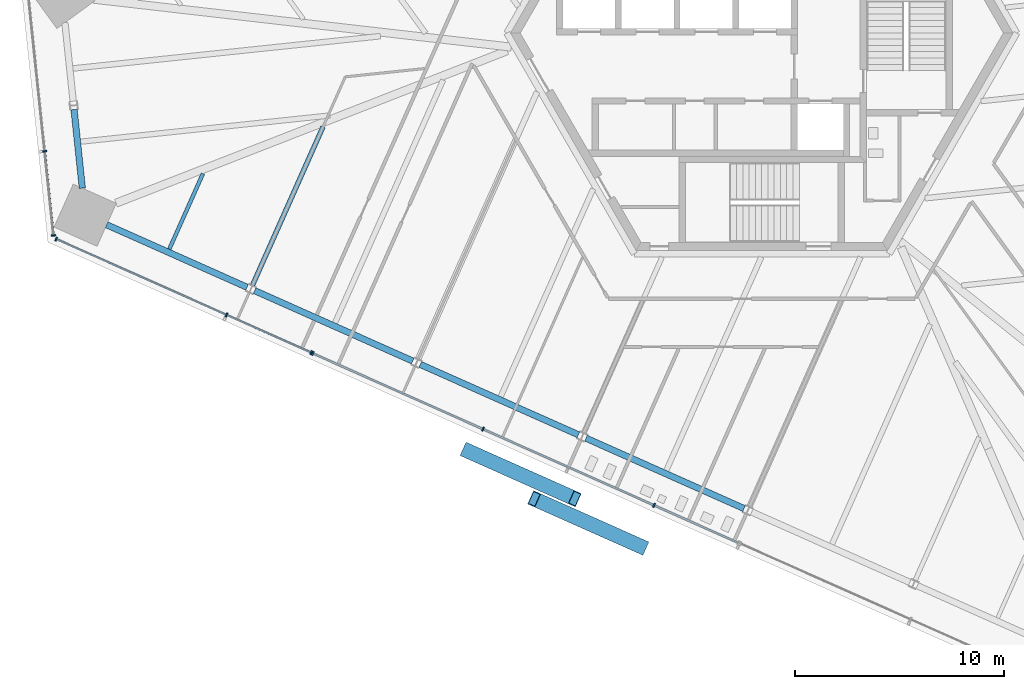
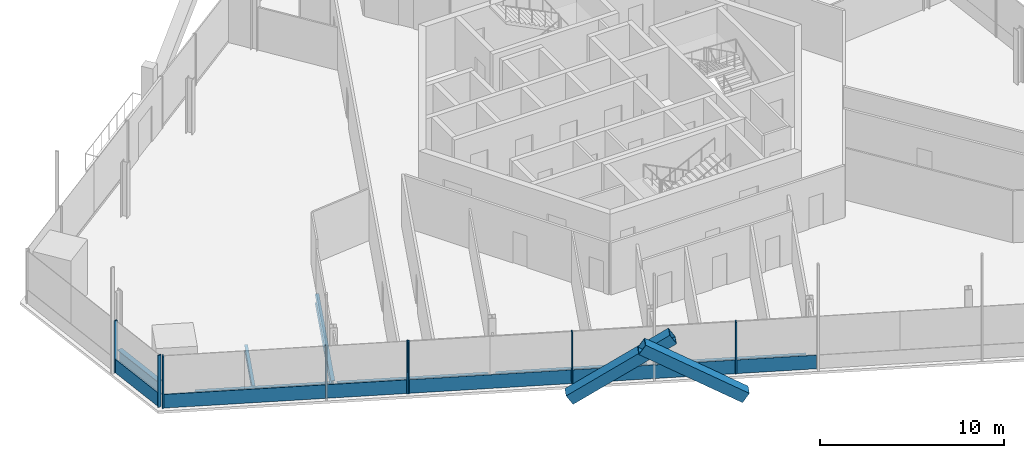
# One storey, part 3 of 21: 16 members, 7 beams, 3 elements without a shape of their own.
"""IFC4 building model written with IfcOpenShell, lengths in metres."""

import ifcopenshell
import ifcopenshell.guid

model = None  # the IFC model being written
_history = None  # IfcOwnerHistory: only IFC2X3 demands one
_inside = {}  # id of a spatial element -> (the spatial element, [elements in it])
_under = {}  # id of a project, library or spatial element -> (it, [spatial elements below it])
_declared = {}  # id of a project -> (the project, [libraries it declares])
_typed = {}  # id of a type object -> (the type object, [elements of that type])
_made_of = {}  # id of a material, layer set ... -> (it, [elements and type objects made of it])


def new_model(schema):
    """Start an empty IFC model of exactly this schema.

    Asked for "IFC4X3", IfcOpenShell would pick the latest addendum, in which some entities
    have other attributes; the version numbers below select the first issue.
    IFC2X3 requires an IfcOwnerHistory on every rooted entity: one is made here for all.
    """
    global model, _history
    if schema == "IFC4X3":
        model = ifcopenshell.file(schema_version=(4, 3, 0, 0))
    else:
        model = ifcopenshell.file(schema=schema)
    _inside.clear()
    _under.clear()
    _declared.clear()
    _typed.clear()
    _made_of.clear()
    _history = None
    if model.schema == "IFC2X3":
        org = make("IfcOrganization", Name="unknown")
        user = make(
            "IfcPersonAndOrganization",
            ThePerson=make("IfcPerson", FamilyName="unknown"),
            TheOrganization=org,
        )
        app = make(
            "IfcApplication",
            ApplicationDeveloper=org,
            Version="unknown",
            ApplicationFullName="unknown",
            ApplicationIdentifier="unknown",
        )
        _history = make(
            "IfcOwnerHistory",
            OwningUser=user,
            OwningApplication=app,
            ChangeAction="ADDED",
            CreationDate=0,
        )
    return model


def make(cls, **values):
    """One entity of the class cls with the attributes given. An attribute that is None is left unset."""
    return model.create_entity(
        cls, **{name: value for name, value in values.items() if value is not None}
    )


def rooted(cls, **values):
    """An entity with a GlobalId (a new one), such as an element, a storey or a relation."""
    return make(cls, GlobalId=ifcopenshell.guid.new(), OwnerHistory=_history, **values)


def si_unit(unit_type, name, prefix=None):
    """IfcSIUnit, for example si_unit("LENGTHUNIT", "METRE", prefix="MILLI")."""
    return make("IfcSIUnit", UnitType=unit_type, Prefix=prefix, Name=name)


def assignment(units):
    """IfcUnitAssignment: the units of a project."""
    return None if units is None else make("IfcUnitAssignment", Units=units)


def point(xyz):
    """IfcCartesianPoint."""
    return None if xyz is None else make("IfcCartesianPoint", Coordinates=xyz)


def direction(xyz):
    """IfcDirection."""
    return None if xyz is None else make("IfcDirection", DirectionRatios=xyz)


def frame(location, z_axis=None, x_axis=None):
    """IfcAxis2Placement3D, a coordinate frame: its origin and axes. An axis left out is left unset."""
    return make(
        "IfcAxis2Placement3D",
        Location=point(location),
        Axis=direction(z_axis),
        RefDirection=direction(x_axis),
    )


def frame_2d(location, x_axis=None):
    """IfcAxis2Placement2D, a coordinate frame in the plane: its origin and x axis."""
    return make(
        "IfcAxis2Placement2D", Location=point(location), RefDirection=direction(x_axis)
    )


def origin():
    """The frame at (0, 0, 0) with its axes left unset."""
    return frame((0.0, 0.0, 0.0))


def origin_2d():
    """The frame at (0, 0) in the plane with its x axis left unset."""
    return frame_2d((0.0, 0.0))


def place(relative_to, where):
    """IfcLocalPlacement: puts the frame where relative to a parent placement (None: the world)."""
    return make(
        "IfcLocalPlacement", PlacementRelTo=relative_to, RelativePlacement=where
    )


def context(
    kind, dimensions, precision=None, world=None, true_north=None, identifier=None
):
    """IfcGeometricRepresentationContext, for example the 3D "Model" context."""
    return make(
        "IfcGeometricRepresentationContext",
        ContextIdentifier=identifier,
        ContextType=kind,
        CoordinateSpaceDimension=dimensions,
        Precision=precision,
        WorldCoordinateSystem=world,
        TrueNorth=true_north,
    )


def subcontext(parent, identifier, kind, view, scale=None):
    """IfcGeometricRepresentationSubContext, for example "Body" below "Model"."""
    return make(
        "IfcGeometricRepresentationSubContext",
        ContextIdentifier=identifier,
        ContextType=kind,
        ParentContext=parent,
        TargetScale=scale,
        TargetView=view,
    )


def project(units=None, contexts=None):
    """IfcProject with its units and contexts."""
    return rooted(
        "IfcProject",
        Name="project",
        RepresentationContexts=contexts,
        UnitsInContext=assignment(units),
    )


def spatial(cls, under=None, at=None, **own):
    """A site, building, storey or space (cls), placed at a placement, below another one or the project."""
    s = rooted(cls, ObjectPlacement=at, **own)
    if under is not None:
        _under.setdefault(under.id(), (under, []))[1].append(s)
    return s


def profile(cls, at=None, kind="AREA", **sizes):
    """A parametric profile (cls). Its sizes go by their IFC names, for example OverallWidth=200.0."""
    return make(cls, ProfileType=kind, Position=at, **sizes)


def rectangle(**sizes):
    """IfcRectangleProfileDef."""
    return profile("IfcRectangleProfileDef", **sizes)


def hollow_rectangle(**sizes):
    """IfcRectangleHollowProfileDef."""
    return profile("IfcRectangleHollowProfileDef", **sizes)


def i_section(**sizes):
    """IfcIShapeProfileDef."""
    return profile("IfcIShapeProfileDef", **sizes)


def extrude(swept, where, along, depth):
    """IfcExtrudedAreaSolid: the profile swept, set in the frame where, extruded along a direction by depth."""
    return make(
        "IfcExtrudedAreaSolid",
        SweptArea=swept,
        Position=where,
        ExtrudedDirection=direction(along),
        Depth=depth,
    )


def shape(context_of_items, identifier, shape_type, items):
    """IfcShapeRepresentation: the items that make up one representation, for example the "Body"."""
    return make(
        "IfcShapeRepresentation",
        ContextOfItems=context_of_items,
        RepresentationIdentifier=identifier,
        RepresentationType=shape_type,
        Items=items,
    )


def source(mapping_origin, context_of_items, identifier, shape_type, items):
    """IfcRepresentationMap: a shape defined once, which mapped items show again and again."""
    return make(
        "IfcRepresentationMap",
        MappingOrigin=mapping_origin,
        MappedRepresentation=shape(context_of_items, identifier, shape_type, items),
    )


def transform(
    local_origin,
    x_axis=None,
    y_axis=None,
    z_axis=None,
    scale=None,
    scale2=None,
    scale3=None,
    uniform=True,
):
    """IfcCartesianTransformationOperator3D, or its non-uniform kind. x_axis, y_axis, z_axis: its Axis1, 2, 3."""
    if uniform:
        return make(
            "IfcCartesianTransformationOperator3D",
            Axis1=direction(x_axis),
            Axis2=direction(y_axis),
            LocalOrigin=point(local_origin),
            Scale=scale,
            Axis3=direction(z_axis),
        )
    return make(
        "IfcCartesianTransformationOperator3DnonUniform",
        Axis1=direction(x_axis),
        Axis2=direction(y_axis),
        LocalOrigin=point(local_origin),
        Scale=scale,
        Axis3=direction(z_axis),
        Scale2=scale2,
        Scale3=scale3,
    )


def mapped(mapping_source, mapping_target):
    """IfcMappedItem: shows the shape of a source again, moved by a transform."""
    return make(
        "IfcMappedItem", MappingSource=mapping_source, MappingTarget=mapping_target
    )


def material(Name=None, Category=None):
    """IfcMaterial."""
    return make("IfcMaterial", Name=Name, Category=Category)


def material_profile(
    of_material, cross_section, Name=None, Category=None, Priority=None
):
    """IfcMaterialProfile: a cross section and its material."""
    return make(
        "IfcMaterialProfile",
        Name=Name,
        Material=of_material,
        Profile=cross_section,
        Priority=Priority,
        Category=Category,
    )


def profile_set(profiles, Name=None, composite=None):
    """IfcMaterialProfileSet."""
    return make(
        "IfcMaterialProfileSet",
        Name=Name,
        MaterialProfiles=profiles,
        CompositeProfile=composite,
    )


def made_of(thing, what):
    """Note that an element or type object is made of a material, layer set ...; save() writes the relation."""
    if what is not None:
        _made_of.setdefault(what.id(), (what, []))[1].append(thing)
    return thing


def type_object(cls, material=None, **own):
    """A type object (cls), such as IfcWallType, which elements share."""
    return made_of(rooted(cls, **own), material)


def element(
    cls,
    number,
    at=None,
    inside=None,
    cuts=None,
    type_object=None,
    material=None,
    context=None,
    identifier="Body",
    shape_type=None,
    held_by="IfcProductDefinitionShape",
    body=None,
    shapes=None,
    **own,
):
    """One element of the class cls, such as IfcWall. Its Tag is "e" and its number.

    at: its placement. inside: the storey or other place that contains it. cuts: it is an
    opening in that element (IfcRelVoidsElement). A single representation is given by context,
    identifier, shape_type and body (its items); several are given by shapes. held_by: the class
    of the entity that holds the representations. save() writes the other relations.
    """
    e = rooted(cls, Tag="e%d" % number, ObjectPlacement=at, **own)
    if body is not None:
        shapes = [shape(context, identifier, shape_type, body)]
    if shapes is not None:
        e.Representation = make(held_by, Representations=shapes)
    if inside is not None:
        _inside.setdefault(inside.id(), (inside, []))[1].append(e)
    if cuts is not None:
        rooted(
            "IfcRelVoidsElement", RelatingBuildingElement=cuts, RelatedOpeningElement=e
        )
    if type_object is not None:
        _typed.setdefault(type_object.id(), (type_object, []))[1].append(e)
    return made_of(e, material)


def aggregate(whole, parts):
    """IfcRelAggregates: a whole, such as a stair, and the parts it consists of."""
    return rooted("IfcRelAggregates", RelatingObject=whole, RelatedObjects=parts)


def save(model, path):
    """Write the relations noted so far, then the file.

    IfcRelAggregates (storeys below a building ...), IfcRelContainedInSpatialStructure (elements
    in a storey), IfcRelDefinesByType, IfcRelAssociatesMaterial and IfcRelDeclares: one each for
    every whole, place, type object, material and project.
    """
    for whole, parts in _under.values():
        aggregate(whole, parts)
    for where, things in _inside.values():
        rooted(
            "IfcRelContainedInSpatialStructure",
            RelatedElements=things,
            RelatingStructure=where,
        )
    for kind, things in _typed.values():
        rooted("IfcRelDefinesByType", RelatedObjects=things, RelatingType=kind)
    for what, things in _made_of.values():
        rooted("IfcRelAssociatesMaterial", RelatedObjects=things, RelatingMaterial=what)
    for by, libraries in _declared.values():
        rooted("IfcRelDeclares", RelatingContext=by, RelatedDefinitions=libraries)
    model.write(path)


model = new_model("IFC4")

# Units and contexts
model_context = context("Model", 3, precision=1e-05, world=origin(), true_north=direction((0.0, 1.0)))
body_context = subcontext(model_context, "Body", "Model", "MODEL_VIEW")
ifc_project = project(units=[si_unit("LENGTHUNIT", "METRE"), si_unit("AREAUNIT", "SQUARE_METRE"), si_unit("VOLUMEUNIT", "CUBIC_METRE"), si_unit("PLANEANGLEUNIT", "RADIAN"), si_unit("MASSUNIT", "GRAM", prefix="KILO")], contexts=[model_context])

# Site, building, storey
site_placement = place(None, origin())
site = spatial("IfcSite", under=ifc_project, at=site_placement, CompositionType="ELEMENT")
building_placement = place(site_placement, origin())
building = spatial("IfcBuilding", under=site, at=building_placement, Name="Triune Harvest Tower", CompositionType="ELEMENT")
storey_placement = place(building_placement, frame((0.0, 0.0, 72.89990234375)))
storey = spatial("IfcBuildingStorey", under=building, at=storey_placement, Name="L17", CompositionType="ELEMENT", Elevation=72.89990234375)

# Beams
ifc_material_1 = material(Name="Steel ASTM A992 Gr 50", Category="steel")
ifc_material_profile_1 = material_profile(ifc_material_1, i_section(OverallWidth=0.3046875, OverallDepth=0.914306640625, WebThickness=0.0166015625, FlangeThickness=0.02587890625, at=origin_2d()), Name="W36x160")
ifc_profile_set_1 = profile_set([ifc_material_profile_1], Name="Steel ASTM A992 Gr 50")
beam_type_1 = type_object("IfcBeamType", Name="SB-1 Spandrel beam W36x160", PredefinedType="SPANDREL", material=ifc_profile_set_1)
shared_shape_1 = source(origin(), body_context, "Body", "SweptSolid", [
    extrude(i_section(OverallWidth=0.3046875, OverallDepth=0.914306640625, WebThickness=0.0166015625, FlangeThickness=0.02587890625, at=origin_2d()), origin(), (0.0, 0.0, 1.0), 7.337890625),
])
beam_1_placement = place(storey_placement, frame((-31.29150390625, -9.156982421875, -0.6171875), z_axis=(0.913558923036, -0.40670639796, 0.0), x_axis=(0.40670639796, 0.913558923036, 0.0)))
element("IfcBeam", 1, at=beam_1_placement, inside=storey, type_object=beam_type_1, Name="beam/L17/SB17", PredefinedType="SPANDREL", context=body_context, shape_type="MappedRepresentation", body=[
    mapped(shared_shape_1, transform((0.0, 0.0, 0.0), scale=1.0)),
])
shared_shape_2 = source(origin(), body_context, "Body", "SweptSolid", [
    extrude(i_section(OverallWidth=0.3046875, OverallDepth=0.914306640625, WebThickness=0.0166015625, FlangeThickness=0.02587890625, at=origin_2d()), origin(), (0.0, 0.0, 1.0), 8.263427734375),
])
for number, where, z_axis, x_axis, name in (
    (2, (-24.2236328125, -12.3037109375, -0.6171875), (0.913544537455, -0.406738709846, 0.0), (0.406738709846, 0.913544537455, 0.0), "beam/L17/SB18"),
    (3, (-16.310302734375, -15.826904296875, -0.6171875), (0.913544537455, -0.406738709846, 0.0), (0.406738709846, 0.913544537455, 0.0), "beam/L17/SB19"),
    (4, (-8.39697265625, -19.35009765625, -0.6171875), (0.913544537455, -0.406738709846, 0.0), (0.406738709846, 0.913544537455, 0.0), "beam/L17/SB20"),
):
    element("IfcBeam", number, at=place(storey_placement, frame(where, z_axis=z_axis, x_axis=x_axis)), inside=storey, type_object=beam_type_1, Name=name, PredefinedType="SPANDREL", context=body_context, shape_type="MappedRepresentation", body=[
        mapped(shared_shape_2, transform((0.0, 0.0, 0.0), scale=1.0)),
    ])
shared_shape_3 = source(origin(), body_context, "Body", "SweptSolid", [
    extrude(i_section(OverallWidth=0.3046875, OverallDepth=0.914306640625, WebThickness=0.0166015625, FlangeThickness=0.02587890625, at=origin_2d()), origin(), (0.0, 0.0, 1.0), 3.775146484375),
])
beam_2_placement = place(storey_placement, frame((-32.849609375, -3.653076171875, -0.6171875), z_axis=(0.104573690763, -0.994517140727, 0.0), x_axis=(0.994517140727, 0.104573690763, 0.0)))
element("IfcBeam", 5, at=beam_2_placement, inside=storey, type_object=beam_type_1, Name="beam/L17/SB16", PredefinedType="SPANDREL", context=body_context, shape_type="MappedRepresentation", body=[
    mapped(shared_shape_3, transform((0.0, 0.0, 0.0), scale=1.0)),
])
ifc_material_2 = material(Name="Steel ASTM A992 Gr 50", Category="steel")
ifc_material_profile_2 = material_profile(ifc_material_2, i_section(OverallWidth=0.180908203125, OverallDepth=0.41650390625, WebThickness=0.010986328125, FlangeThickness=0.01806640625, at=origin_2d()), Name="W16x57")
ifc_profile_set_2 = profile_set([ifc_material_profile_2], Name="Steel ASTM A992 Gr 50")
beam_type_2 = type_object("IfcBeamType", Name="JT-1 Floor joist W16x57", PredefinedType="JOIST", material=ifc_profile_set_2)
shared_shape_4 = source(origin(), body_context, "Body", "SweptSolid", [
    extrude(i_section(OverallWidth=0.180908203125, OverallDepth=0.41650390625, WebThickness=0.010986328125, FlangeThickness=0.01806640625, at=origin_2d()), origin(), (0.0, 0.0, 1.0), 3.95068359375),
])
beam_3_placement = place(storey_placement, frame((-28.300537109375, -10.32177734375, -0.3681640625), z_axis=(0.406746150359, 0.913541224668, 0.0), x_axis=(-0.913541224668, 0.406746150359, 0.0)))
element("IfcBeam", 6, at=beam_3_placement, inside=storey, type_object=beam_type_2, Name="beam/L17/JT27", PredefinedType="JOIST", context=body_context, shape_type="MappedRepresentation", body=[
    mapped(shared_shape_4, transform((0.0, 0.0, 0.0), scale=1.0)),
])
ifc_material_3 = material(Name="Steel ASTM A992 Gr 50", Category="steel")
ifc_material_profile_3 = material_profile(ifc_material_3, i_section(OverallWidth=0.22900390625, OverallDepth=0.612060546875, WebThickness=0.011962890625, FlangeThickness=0.01953125, at=origin_2d()), Name="W24x84")
ifc_profile_set_3 = profile_set([ifc_material_profile_3], Name="Steel ASTM A992 Gr 50")
beam_type_3 = type_object("IfcBeamType", Name="JT-3 Floor joist W24x84", PredefinedType="JOIST", material=ifc_profile_set_3)
shared_shape_5 = source(origin(), body_context, "Body", "SweptSolid", [
    extrude(i_section(OverallWidth=0.22900390625, OverallDepth=0.612060546875, WebThickness=0.011962890625, FlangeThickness=0.01953125, at=origin_2d()), origin(), (0.0, 0.0, 1.0), 8.28173828125),
])
beam_4_placement = place(storey_placement, frame((-24.32568359375, -12.042724609375, -0.466064453125), z_axis=(0.406731926006, 0.913547557803, 0.0), x_axis=(-0.913547557803, 0.406731926006, 0.0)))
element("IfcBeam", 7, at=beam_4_placement, inside=storey, type_object=beam_type_3, Name="beam/L17/JT28", PredefinedType="JOIST", context=body_context, shape_type="MappedRepresentation", body=[
    mapped(shared_shape_5, transform((0.0, 0.0, 0.0), scale=1.0)),
])

# Members
ifc_material_4 = material(Name="Steel ASTM A572 Gr 50", Category="steel")
ifc_material_profile_4 = material_profile(ifc_material_4, hollow_rectangle(XDim=0.699951171875, YDim=0.699951171875, WallThickness=0.0400390625, at=origin_2d()), Name="Box 700x700x40")
ifc_profile_set_4 = profile_set([ifc_material_profile_4], Name="Steel ASTM A572 Gr 50")
member_type_1 = type_object("IfcMemberType", Name="BR-1 Brace Box 700x700x40", PredefinedType="BRACE", material=ifc_profile_set_4)
shared_shape_6 = source(origin(), body_context, "Body", "SweptSolid", [
    extrude(hollow_rectangle(XDim=0.699951171875, YDim=0.699951171875, WallThickness=0.0400390625, at=origin_2d()), origin(), (0.0, 0.0, 1.0), 6.7021484375),
])
for number, where, z_axis, x_axis, name in (
    (8, (-14.098876953125, -19.93701171875, 0.0), (0.77056979764, -0.343066387169, 0.537147690082), (0.406723393916, 0.913551356434, 0.0), "brace/B2-F5/d1/5"),
    (9, (-5.70751953125, -24.548828125, 0.0), (-0.770554999695, 0.343076016977, 0.537162767716), (-0.4067394407, -0.913544212055, 0.0), "brace/B2-F5/d2/5"),
):
    element("IfcMember", number, at=place(storey_placement, frame(where, z_axis=z_axis, x_axis=x_axis)), inside=storey, type_object=member_type_1, Name=name, PredefinedType="BRACE", context=body_context, shape_type="MappedRepresentation", body=[
        mapped(shared_shape_6, transform((0.0, 0.0, 0.0), scale=1.0)),
    ])

# Curtain wall, member
ifc_material_5 = material(Name="Aluminium bronze anodised", Category="aluminium")
curtain_wall_type_1 = type_object("IfcCurtainWallType", Name="CW-1 Tower stick curtain wall", PredefinedType="NOTDEFINED", material=ifc_material_5)
curtain_wall_1_placement = place(storey_placement, origin())
curtain_wall_1 = element("IfcCurtainWall", 10, at=curtain_wall_1_placement, inside=storey, type_object=curtain_wall_type_1, Name="CW-1 B2-F4 L17 run 1")
ifc_material_6 = material(Name="Aluminium bronze anodised", Category="aluminium")
ifc_material_profile_5 = material_profile(ifc_material_6, rectangle(XDim=0.090087890625, YDim=0.89990234375, at=origin_2d()), Name="TR-1 transom 90 x 900")
ifc_profile_set_5 = profile_set([ifc_material_profile_5], Name="Aluminium bronze anodised")
member_type_2 = type_object("IfcMemberType", Name="TR-1 transom 90 x 900", PredefinedType="USERDEFINED", material=ifc_profile_set_5)
shared_shape_7 = source(origin(), body_context, "Body", "SweptSolid", [
    extrude(rectangle(XDim=0.090087890625, YDim=0.89990234375, at=origin_2d()), origin(), (0.0, 0.0, 1.0), 3.9609375),
])
member_1_placement = place(storey_placement, frame((-34.25, -5.685546875, 0.4501953125), z_axis=(0.104537191117, -0.994520977996, 0.0), x_axis=(0.994520977996, 0.104537191117, 0.0)))
member_1 = element("IfcMember", 11, at=member_1_placement, type_object=member_type_2, Name="CW-1 transom B2-F4 1.2", ObjectType="TRANSOM", PredefinedType="USERDEFINED", context=body_context, shape_type="MappedRepresentation", body=[
    mapped(shared_shape_7, transform((0.0, 0.0, 0.0), scale=1.0)),
])

curtain_wall_2_placement = place(storey_placement, origin())
curtain_wall_2 = element("IfcCurtainWall", 12, at=curtain_wall_2_placement, inside=storey, type_object=curtain_wall_type_1, Name="CW-1 B2-F5 L17 run 1")
shared_shape_8 = source(origin(), body_context, "Body", "SweptSolid", [
    extrude(rectangle(XDim=0.090087890625, YDim=0.89990234375, at=origin_2d()), origin(), (0.0, 0.0, 1.0), 8.82861328125),
])
member_2_placement = place(storey_placement, frame((-33.66796875, -9.85595703125, 0.4501953125), z_axis=(0.913551364205, -0.40672337646, 0.0), x_axis=(0.40672337646, 0.913551364205, 0.0)))
member_2 = element("IfcMember", 13, at=member_2_placement, type_object=member_type_2, Name="CW-1 transom B2-F5 1.1", ObjectType="TRANSOM", PredefinedType="USERDEFINED", context=body_context, shape_type="MappedRepresentation", body=[
    mapped(shared_shape_8, transform((0.0, 0.0, 0.0), scale=1.0)),
])

# Curtain wall, members
ifc_material_7 = material(Name="Aluminium bronze anodised", Category="aluminium")
curtain_wall_type_2 = type_object("IfcCurtainWallType", Name="CW-7 Tower stick curtain wall with insulated spandrel infill", PredefinedType="NOTDEFINED", material=ifc_material_7)
curtain_wall_3_placement = place(storey_placement, origin())
curtain_wall_3 = element("IfcCurtainWall", 14, at=curtain_wall_3_placement, inside=storey, type_object=curtain_wall_type_2, Name="CW-7 B2-F5 L17 run 1001")
member_3_placement = place(storey_placement, frame((-21.415771484375, -15.31103515625, 0.4501953125), z_axis=(0.913551364205, -0.40672337646, 0.0), x_axis=(0.40672337646, 0.913551364205, 0.0)))
member_3 = element("IfcMember", 15, at=member_3_placement, type_object=member_type_2, Name="CW-7 transom B2-F5 1001.1", ObjectType="TRANSOM", PredefinedType="USERDEFINED", context=body_context, shape_type="MappedRepresentation", body=[
    mapped(shared_shape_8, transform((0.0, 0.0, 0.0), scale=1.0)),
])
shared_shape_9 = source(origin(), body_context, "Body", "SweptSolid", [
    extrude(rectangle(XDim=0.090087890625, YDim=0.89990234375, at=origin_2d()), origin(), (0.0, 0.0, 1.0), 8.8662109375),
])
member_4_placement = place(storey_placement, frame((-13.28173828125, -18.932373046875, 0.4501953125), z_axis=(0.913544504695, -0.406738783423, 0.0), x_axis=(0.406738783423, 0.913544504695, 0.0)))
member_4 = element("IfcMember", 16, at=member_4_placement, type_object=member_type_2, Name="CW-7 transom B2-F5 1001.2", ObjectType="TRANSOM", PredefinedType="USERDEFINED", context=body_context, shape_type="MappedRepresentation", body=[
    mapped(shared_shape_9, transform((0.0, 0.0, 0.0), scale=1.0)),
])

# Member
shared_shape_10 = source(origin(), body_context, "Body", "SweptSolid", [
    extrude(rectangle(XDim=0.090087890625, YDim=0.89990234375, at=origin_2d()), origin(), (0.0, 0.0, 1.0), 4.358154296875),
])
member_5_placement = place(storey_placement, frame((-25.533935546875, -13.477294921875, 0.4501953125), z_axis=(0.913531805531, -0.406767304836, 0.0), x_axis=(0.406767304836, 0.913531805531, 0.0)))
member_5 = element("IfcMember", 17, at=member_5_placement, type_object=member_type_2, Name="CW-1 transom B2-F5 1.2", ObjectType="TRANSOM", PredefinedType="USERDEFINED", context=body_context, shape_type="MappedRepresentation", body=[
    mapped(shared_shape_10, transform((0.0, 0.0, 0.0), scale=1.0)),
])

member_6_placement = place(storey_placement, frame((-5.113525390625, -22.569091796875, 0.4501953125), z_axis=(0.913531805531, -0.406767304836, 0.0), x_axis=(0.406767304836, 0.913531805531, 0.0)))
member_6 = element("IfcMember", 18, at=member_6_placement, type_object=member_type_2, Name="CW-7 transom B2-F5 1001.3", ObjectType="TRANSOM", PredefinedType="USERDEFINED", context=body_context, shape_type="MappedRepresentation", body=[
    mapped(shared_shape_10, transform((0.0, 0.0, 0.0), scale=1.0)),
])

ifc_material_8 = material(Name="Aluminium bronze anodised", Category="aluminium")
ifc_material_profile_6 = material_profile(ifc_material_8, rectangle(XDim=0.199951171875, YDim=0.074951171875, at=origin_2d()), Name="MU-1 mullion 75 x 200")
ifc_profile_set_6 = profile_set([ifc_material_profile_6], Name="Aluminium bronze anodised")
member_type_3 = type_object("IfcMemberType", Name="MU-1 mullion 75 x 200", PredefinedType="MULLION", material=ifc_profile_set_6)
shared_shape_11 = source(origin(), body_context, "Body", "SweptSolid", [
    extrude(rectangle(XDim=0.199951171875, YDim=0.074951171875, at=origin_2d()), origin(), (0.0, 0.0, 1.0), 3.440185546875),
])
member_7_placement = place(storey_placement, frame((-34.25390625, -5.648193359375, 0.0), z_axis=(0.0, 0.0, 1.0), x_axis=(0.994521790334, 0.104529462601, 0.0)))
member_7 = element("IfcMember", 19, at=member_7_placement, type_object=member_type_3, Name="CW-1 mullion B2-F4 1.3", PredefinedType="MULLION", context=body_context, shape_type="MappedRepresentation", body=[
    mapped(shared_shape_11, transform((0.0, 0.0, 0.0), scale=1.0)),
])

member_8_placement = place(storey_placement, frame((-33.83203125, -9.662109375, 0.0), z_axis=(0.0, 0.0, 1.0), x_axis=(0.994521790334, 0.104529462601, 0.0)))
member_8 = element("IfcMember", 20, at=member_8_placement, type_object=member_type_3, Name="CW-1 mullion B2-F4 1.4", PredefinedType="MULLION", context=body_context, shape_type="MappedRepresentation", body=[
    mapped(shared_shape_11, transform((0.0, 0.0, 0.0), scale=1.0)),
])

aggregate(curtain_wall_1, [member_7, member_8, member_1])

member_9_placement = place(storey_placement, frame((-33.7021484375, -9.840576171875, 0.0), z_axis=(0.0, 0.0, 1.0), x_axis=(0.406741076293, 0.913543483834, 0.0)))
member_9 = element("IfcMember", 21, at=member_9_placement, type_object=member_type_3, Name="CW-1 mullion B2-F5 1.1", PredefinedType="MULLION", context=body_context, shape_type="MappedRepresentation", body=[
    mapped(shared_shape_11, transform((0.0, 0.0, 0.0), scale=1.0)),
])

member_10_placement = place(storey_placement, frame((-25.568359375, -13.462158203125, 0.0), z_axis=(0.0, 0.0, 1.0), x_axis=(0.406741076293, 0.913543483834, 0.0)))
member_10 = element("IfcMember", 22, at=member_10_placement, type_object=member_type_3, Name="CW-1 mullion B2-F5 1.3", PredefinedType="MULLION", context=body_context, shape_type="MappedRepresentation", body=[
    mapped(shared_shape_11, transform((0.0, 0.0, 0.0), scale=1.0)),
])

member_11_placement = place(storey_placement, frame((-21.5185546875, -15.26513671875, 0.0), z_axis=(0.0, 0.0, 1.0), x_axis=(0.406741076293, 0.913543483834, 0.0)))
member_11 = element("IfcMember", 23, at=member_11_placement, type_object=member_type_3, Name="CW-1 mullion B2-F5 1.4", PredefinedType="MULLION", context=body_context, shape_type="MappedRepresentation", body=[
    mapped(shared_shape_11, transform((0.0, 0.0, 0.0), scale=1.0)),
])

aggregate(curtain_wall_2, [member_9, member_10, member_11, member_2, member_5])

member_12_placement = place(storey_placement, frame((-21.449951171875, -15.295654296875, 0.0), z_axis=(0.0, 0.0, 1.0), x_axis=(0.406734856715, 0.91354625298, 0.0)))
member_12 = element("IfcMember", 24, at=member_12_placement, type_object=member_type_3, Name="CW-7 mullion B2-F5 1001.1", PredefinedType="MULLION", context=body_context, shape_type="MappedRepresentation", body=[
    mapped(shared_shape_11, transform((0.0, 0.0, 0.0), scale=1.0)),
])

member_13_placement = place(storey_placement, frame((-13.31591796875, -18.917236328125, 0.0), z_axis=(0.0, 0.0, 1.0), x_axis=(0.406734856715, 0.91354625298, 0.0)))
member_13 = element("IfcMember", 25, at=member_13_placement, type_object=member_type_3, Name="CW-7 mullion B2-F5 1001.3", PredefinedType="MULLION", context=body_context, shape_type="MappedRepresentation", body=[
    mapped(shared_shape_11, transform((0.0, 0.0, 0.0), scale=1.0)),
])

member_14_placement = place(storey_placement, frame((-5.14794921875, -22.553955078125, 0.0), z_axis=(0.0, 0.0, 1.0), x_axis=(0.406734856715, 0.91354625298, 0.0)))
member_14 = element("IfcMember", 26, at=member_14_placement, type_object=member_type_3, Name="CW-7 mullion B2-F5 1001.5", PredefinedType="MULLION", context=body_context, shape_type="MappedRepresentation", body=[
    mapped(shared_shape_11, transform((0.0, 0.0, 0.0), scale=1.0)),
])

aggregate(curtain_wall_3, [member_12, member_13, member_14, member_3, member_4, member_6])

save(model, "model.ifc")
